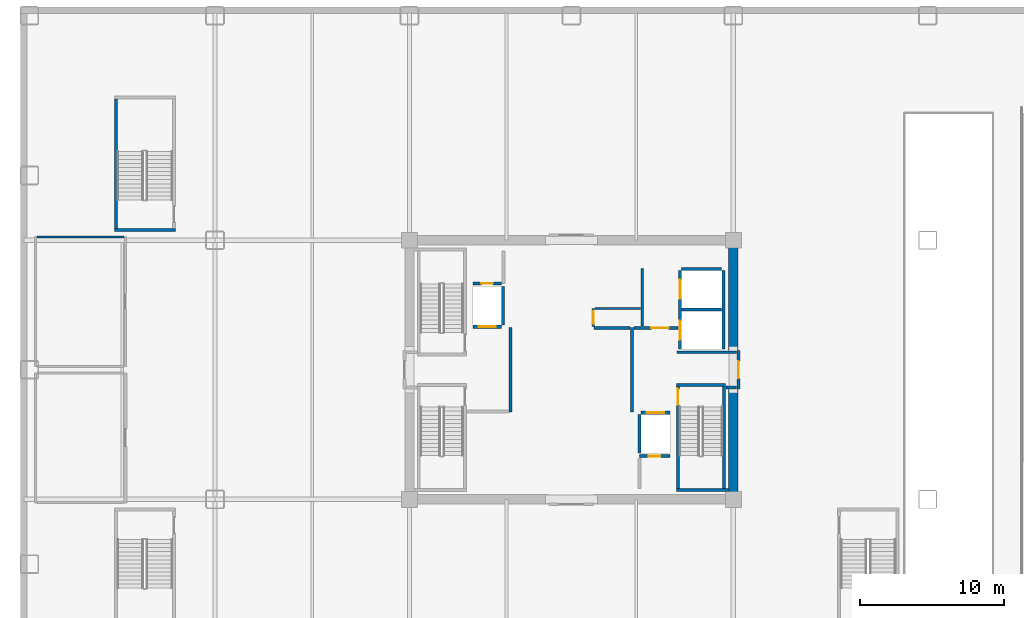
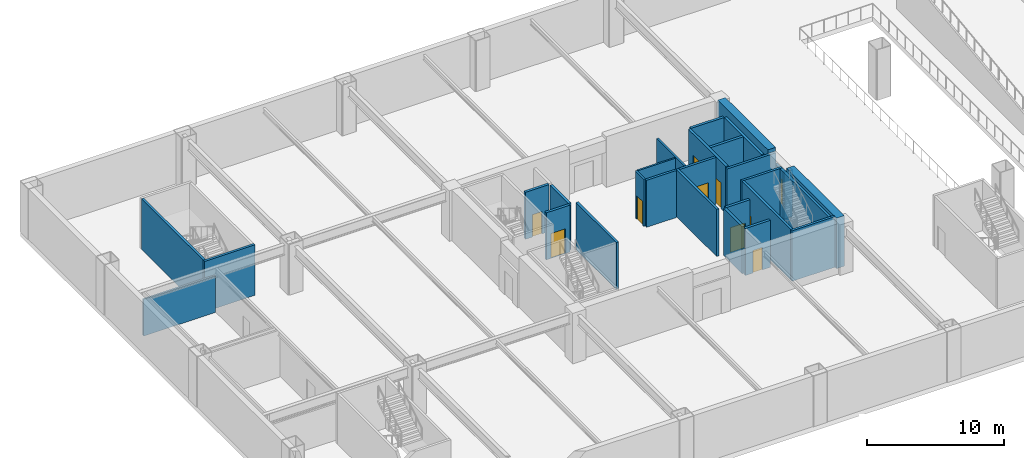
# One storey, part 4 of 9: 29 walls, 10 doors, 10 openings.
"""IFC4 building model written with IfcOpenShell, lengths in metres."""

from ifc_helpers import new_model, si_unit, direction, frame, frame_2d, origin, place, context, subcontext, project, spatial, rectangle, extrude, source, transform, mapped, material, layer, layer_set, type_object, element, fill, save


model = new_model("IFC4")

# Units and contexts
model_context = context("Model", 3, precision=1e-05, world=origin(), true_north=direction((0.0, 1.0)))
body_context = subcontext(model_context, "Body", "Model", "MODEL_VIEW")
ifc_project = project(units=[si_unit("LENGTHUNIT", "METRE"), si_unit("AREAUNIT", "SQUARE_METRE"), si_unit("VOLUMEUNIT", "CUBIC_METRE"), si_unit("PLANEANGLEUNIT", "RADIAN"), si_unit("MASSUNIT", "GRAM", prefix="KILO")], contexts=[model_context])

# Site, building, storey
site_placement = place(None, origin())
site = spatial("IfcSite", under=ifc_project, at=site_placement, CompositionType="ELEMENT")
building_placement = place(site_placement, origin())
building = spatial("IfcBuilding", under=site, at=building_placement, Name="Nefas-Gora Pilgrimage Tower", CompositionType="ELEMENT")
storey_placement = place(building_placement, frame((0.0, 0.0, -4.5)))
storey = spatial("IfcBuildingStorey", under=building, at=storey_placement, Name="B01", CompositionType="ELEMENT", Elevation=-4.5)

# Walls
ifc_material_1 = material(Name="Concrete C60/75", Category="concrete")
ifc_layer_1 = layer(ifc_material_1, 0.64990234375)
ifc_layer_set_1 = layer_set([ifc_layer_1], Name="Concrete C60/75")
wall_type_1 = type_object("IfcWallType", Name="SW-CORE-650", PredefinedType="SHEAR", material=ifc_layer_set_1)
shared_shape_1 = source(origin(), body_context, "Body", "SweptSolid", [
    extrude(rectangle(XDim=7.324951171875, YDim=0.64990234375, at=frame_2d((3.66259765625, 0.0))), origin(), (0.0, 0.0, 1.0), 4.5),
])
for number, where, z_axis, x_axis, name in (
    (1, (11.25, -8.675048828125, 0.0), (0.0, 0.0, 1.0), (0.0, 1.0, 0.0), "B01 Core Shear Wall E-South"),
    (2, (11.25, 1.35009765625, 0.0), (0.0, 0.0, 1.0), (0.0, 1.0, 0.0), "B01 Core Shear Wall E-North"),
):
    element("IfcWall", number, at=place(storey_placement, frame(where, z_axis=z_axis, x_axis=x_axis)), inside=storey, type_object=wall_type_1, Name=name, PredefinedType="SHEAR", context=body_context, shape_type="MappedRepresentation", body=[
        mapped(shared_shape_1, transform((0.0, 0.0, 0.0), x_axis=(1.0, 0.0, 0.0), y_axis=(0.0, 1.0, 0.0), z_axis=(0.0, 0.0, 1.0), scale=1.0)),
    ])
ifc_material_2 = material(Name="Concrete C45/55", Category="concrete")
ifc_layer_2 = layer(ifc_material_2, 0.199951171875)
ifc_layer_set_2 = layer_set([ifc_layer_2], Name="Concrete C45/55")
wall_type_2 = type_object("IfcWallType", Name="IW-STAIR-200", PredefinedType="SOLIDWALL", material=ifc_layer_set_2)
shared_shape_2 = source(origin(), body_context, "Body", "SweptSolid", [
    extrude(rectangle(XDim=3.39990234375, YDim=0.199951171875, at=frame_2d((1.699951171875, 0.0))), origin(), (0.0, 0.0, 1.0), 4.5),
])
wall_1_placement = place(storey_placement, frame((7.300048828125, -1.050048828125, 0.0), z_axis=(0.0, 0.0, 1.0), x_axis=(1.0, 0.0, 0.0)))
element("IfcWall", 3, at=wall_1_placement, inside=storey, type_object=wall_type_2, Name="B01 Stairwell Shear Wall ST-02-near", PredefinedType="SOLIDWALL", context=body_context, shape_type="MappedRepresentation", body=[
    mapped(shared_shape_2, transform((0.0, 0.0, 0.0), x_axis=(1.0, 0.0, 0.0), y_axis=(0.0, 1.0, 0.0), z_axis=(0.0, 0.0, 1.0), scale=1.0)),
])
shared_shape_3 = source(origin(), body_context, "Body", "SweptSolid", [
    extrude(rectangle(XDim=3.6298828125, YDim=0.199951171875, at=frame_2d((1.81494140625, 0.0))), origin(), (0.0, 0.0, 1.0), 4.5),
])
wall_2_placement = place(storey_placement, frame((7.300048828125, -8.35009765625, 0.0), z_axis=(0.0, 0.0, 1.0), x_axis=(1.0, 0.0, 0.0)))
element("IfcWall", 4, at=wall_2_placement, inside=storey, type_object=wall_type_2, Name="B01 Stairwell Shear Wall ST-02-far", PredefinedType="SOLIDWALL", context=body_context, shape_type="MappedRepresentation", body=[
    mapped(shared_shape_3, transform((0.0, 0.0, 0.0), x_axis=(1.0, 0.0, 0.0), y_axis=(0.0, 1.0, 0.0), z_axis=(0.0, 0.0, 1.0), scale=1.0)),
])

# Wall, opening, door
shared_shape_4 = source(origin(), body_context, "Body", "SweptSolid", [
    extrude(rectangle(XDim=7.10009765625, YDim=0.199951171875, at=frame_2d((3.550048828125, 0.0))), origin(), (0.0, 0.0, 1.0), 4.5),
])
wall_3_placement = place(storey_placement, frame((7.39990234375, -1.14990234375, 0.0), z_axis=(0.0, 0.0, 1.0), x_axis=(0.0, -1.0, 0.0)))
wall_3 = element("IfcWall", 5, at=wall_3_placement, inside=storey, type_object=wall_type_2, Name="B01 Stairwell Shear Wall ST-02-left", PredefinedType="SOLIDWALL", context=body_context, shape_type="MappedRepresentation", body=[
    mapped(shared_shape_4, transform((0.0, 0.0, 0.0), x_axis=(1.0, 0.0, 0.0), y_axis=(0.0, 1.0, 0.0), z_axis=(0.0, 0.0, 1.0), scale=1.0)),
])
opening_1_placement = place(wall_3_placement, frame((0.179931640625, 0.0, 0.0)))
opening_1 = element("IfcOpeningElement", 6, at=opening_1_placement, cuts=wall_3, Name="Opening ID-ST1", PredefinedType="OPENING", context=body_context, shape_type="SweptSolid", body=[
    extrude(rectangle(XDim=1.10009765625, YDim=2.14990234375, at=frame_2d((0.550048828125, 1.074951171875))), frame((0.0, 0.10986328125, 0.0), z_axis=(0.0, -1.0, 0.0), x_axis=(1.0, 0.0, 0.0)), (0.0, 0.0, 1.0), 0.219970703125),
])
ifc_material_3 = material(Name="Painted galvanised steel fire stair door", Category="steel")
door_type_1 = type_object("IfcDoorType", Name="DR-INT-STAIR-1100", OperationType="NOTDEFINED", PredefinedType="DOOR", material=ifc_material_3)
shared_shape_5 = source(origin(), body_context, "Body", "SweptSolid", [
    extrude(rectangle(XDim=1.10009765625, YDim=2.14990234375, at=frame_2d((0.550048828125, 1.074951171875))), frame((0.0, 0.02490234375, 0.0), z_axis=(0.0, -1.0, 0.0), x_axis=(1.0, 0.0, 0.0)), (0.0, 0.0, 1.0), 0.050048828125),
])
door_1_placement = place(opening_1_placement, origin())
door_1 = element("IfcDoor", 7, at=door_1_placement, inside=storey, type_object=door_type_1, Name="B01 Protected Exit Stair Door ST-02", OperationType="SINGLE_SWING_RIGHT", OverallHeight=2.14990234375, OverallWidth=1.10009765625, PredefinedType="DOOR", context=body_context, shape_type="MappedRepresentation", body=[
    mapped(shared_shape_5, transform((0.0, 0.0, 0.0), x_axis=(1.0, 0.0, 0.0), y_axis=(0.0, 1.0, 0.0), z_axis=(0.0, 0.0, 1.0), scale=1.0)),
])
fill(opening_1, door_1)

# Walls
wall_4_placement = place(storey_placement, frame((10.60009765625, -1.14990234375, 0.0), z_axis=(0.0, 0.0, 1.0), x_axis=(0.0, -1.0, 0.0)))
element("IfcWall", 8, at=wall_4_placement, inside=storey, type_object=wall_type_2, Name="B01 Stairwell Shear Wall ST-02-right", PredefinedType="SOLIDWALL", context=body_context, shape_type="MappedRepresentation", body=[
    mapped(shared_shape_4, transform((0.0, 0.0, 0.0), x_axis=(1.0, 0.0, 0.0), y_axis=(0.0, 1.0, 0.0), z_axis=(0.0, 0.0, 1.0), scale=1.0)),
])
shared_shape_6 = source(origin(), body_context, "Body", "SweptSolid", [
    extrude(rectangle(XDim=4.239990234375, YDim=0.199951171875, at=frame_2d((2.1201171875, 0.0))), origin(), (0.0, 0.0, 1.0), 4.5),
])
wall_5_placement = place(storey_placement, frame((-27.5, 9.699951171875, 0.0), z_axis=(0.0, 0.0, 1.0), x_axis=(-1.0, 0.0, 0.0)))
element("IfcWall", 9, at=wall_5_placement, inside=storey, type_object=wall_type_2, Name="B01 Stairwell Shear Wall ST-04-near", PredefinedType="SOLIDWALL", context=body_context, shape_type="MappedRepresentation", body=[
    mapped(shared_shape_6, transform((0.0, 0.0, 0.0), x_axis=(1.0, 0.0, 0.0), y_axis=(0.0, 1.0, 0.0), z_axis=(0.0, 0.0, 1.0), scale=1.0)),
])
shared_shape_7 = source(origin(), body_context, "Body", "SweptSolid", [
    extrude(rectangle(XDim=9.0, YDim=0.199951171875, at=frame_2d((4.5, 0.0))), origin(), (0.0, 0.0, 1.0), 4.5),
])
wall_6_placement = place(storey_placement, frame((-31.639892578125, 9.800048828125, 0.0), z_axis=(0.0, 0.0, 1.0), x_axis=(0.0, 1.0, 0.0)))
element("IfcWall", 10, at=wall_6_placement, inside=storey, type_object=wall_type_2, Name="B01 Stairwell Shear Wall ST-04-right", PredefinedType="SOLIDWALL", context=body_context, shape_type="MappedRepresentation", body=[
    mapped(shared_shape_7, transform((0.0, 0.0, 0.0), x_axis=(1.0, 0.0, 0.0), y_axis=(0.0, 1.0, 0.0), z_axis=(0.0, 0.0, 1.0), scale=1.0)),
])

# Wall, opening, door
ifc_material_4 = material(Name="Concrete C40/50", Category="concrete")
ifc_layer_3 = layer(ifc_material_4, 0.219970703125)
ifc_layer_set_3 = layer_set([ifc_layer_3], Name="Concrete C40/50")
wall_type_3 = type_object("IfcWallType", Name="IW-SHAFT-220", PredefinedType="SOLIDWALL", material=ifc_layer_set_3)
shared_shape_8 = source(origin(), body_context, "Body", "SweptSolid", [
    extrude(rectangle(XDim=2.0, YDim=0.219970703125, at=frame_2d((1.0, 0.0))), origin(), (0.0, 0.0, 1.0), 4.18505859375),
])
wall_7_placement = place(storey_placement, frame((-6.85009765625, 2.989990234375, 0.0), z_axis=(0.0, 0.0, 1.0), x_axis=(1.0, 0.0, 0.0)))
wall_7 = element("IfcWall", 11, at=wall_7_placement, inside=storey, type_object=wall_type_3, Name="B01 Hoistway Wall FFL-01-S", PredefinedType="SOLIDWALL", context=body_context, shape_type="MappedRepresentation", body=[
    mapped(shared_shape_8, transform((0.0, 0.0, 0.0), x_axis=(1.0, 0.0, 0.0), y_axis=(0.0, 1.0, 0.0), z_axis=(0.0, 0.0, 1.0), scale=1.0)),
])
opening_2_placement = place(wall_7_placement, frame((0.39990234375, 0.0, 0.0)))
opening_2 = element("IfcOpeningElement", 12, at=opening_2_placement, cuts=wall_7, Name="Opening LD-FF", PredefinedType="OPENING", context=body_context, shape_type="SweptSolid", body=[
    extrude(rectangle(XDim=1.199951171875, YDim=2.199951171875, at=frame_2d((0.60009765625, 1.10009765625))), frame((0.0, 0.119873046875, 0.0), z_axis=(0.0, -1.0, 0.0), x_axis=(1.0, 0.0, 0.0)), (0.0, 0.0, 1.0), 0.239990234375),
])
ifc_material_5 = material(Name="Fire-service sliding lift landing door")
door_type_2 = type_object("IfcDoorType", Name="DR-LIFT-FSAE-1200", OperationType="SLIDING_TO_LEFT", PredefinedType="DOOR", material=ifc_material_5)
shared_shape_9 = source(origin(), body_context, "Body", "SweptSolid", [
    extrude(rectangle(XDim=1.199951171875, YDim=2.199951171875, at=frame_2d((0.60009765625, 1.10009765625))), frame((0.0, 0.02490234375, 0.0), z_axis=(0.0, -1.0, 0.0), x_axis=(1.0, 0.0, 0.0)), (0.0, 0.0, 1.0), 0.050048828125),
])
door_2_placement = place(opening_2_placement, origin())
door_2 = element("IfcDoor", 13, at=door_2_placement, inside=storey, type_object=door_type_2, Name="B01 Sliding Lift Landing Door FFL-01", OperationType="SLIDING_TO_LEFT", OverallHeight=2.199951171875, OverallWidth=1.199951171875, PredefinedType="DOOR", context=body_context, shape_type="MappedRepresentation", body=[
    mapped(shared_shape_9, transform((0.0, 0.0, 0.0), x_axis=(1.0, 0.0, 0.0), y_axis=(0.0, 1.0, 0.0), z_axis=(0.0, 0.0, 1.0), scale=1.0)),
])
fill(opening_2, door_2)

wall_8_placement = place(storey_placement, frame((6.85009765625, -2.989990234375, 0.0), z_axis=(0.0, 0.0, 1.0), x_axis=(-1.0, 0.0, 0.0)))
wall_8 = element("IfcWall", 14, at=wall_8_placement, inside=storey, type_object=wall_type_3, Name="B01 Hoistway Wall FFL-02-N", PredefinedType="SOLIDWALL", context=body_context, shape_type="MappedRepresentation", body=[
    mapped(shared_shape_8, transform((0.0, 0.0, 0.0), x_axis=(1.0, 0.0, 0.0), y_axis=(0.0, 1.0, 0.0), z_axis=(0.0, 0.0, 1.0), scale=1.0)),
])
opening_3_placement = place(wall_8_placement, frame((0.39990234375, 0.0, 0.0)))
opening_3 = element("IfcOpeningElement", 15, at=opening_3_placement, cuts=wall_8, Name="Opening LD-FF", PredefinedType="OPENING", context=body_context, shape_type="SweptSolid", body=[
    extrude(rectangle(XDim=1.199951171875, YDim=2.199951171875, at=frame_2d((0.60009765625, 1.10009765625))), frame((0.0, 0.119873046875, 0.0), z_axis=(0.0, -1.0, 0.0), x_axis=(1.0, 0.0, 0.0)), (0.0, 0.0, 1.0), 0.239990234375),
])
door_3_placement = place(opening_3_placement, origin())
door_3 = element("IfcDoor", 16, at=door_3_placement, inside=storey, type_object=door_type_2, Name="B01 Sliding Lift Landing Door FFL-02", OperationType="SLIDING_TO_LEFT", OverallHeight=2.199951171875, OverallWidth=1.199951171875, PredefinedType="DOOR", context=body_context, shape_type="MappedRepresentation", body=[
    mapped(shared_shape_9, transform((0.0, 0.0, 0.0), x_axis=(1.0, 0.0, 0.0), y_axis=(0.0, 1.0, 0.0), z_axis=(0.0, 0.0, 1.0), scale=1.0)),
])
fill(opening_3, door_3)

# Walls
shared_shape_10 = source(origin(), body_context, "Body", "SweptSolid", [
    extrude(rectangle(XDim=2.679931640625, YDim=0.219970703125, at=frame_2d((1.33984375, 0.0))), origin(), (0.0, 0.0, 1.0), 4.18505859375),
])
for number, where, z_axis, x_axis, name in (
    (17, (-4.739990234375, 3.110107421875, 0.0), (0.0, 0.0, 1.0), (0.0, 1.0, 0.0), "B01 Hoistway Wall FFL-01-E"),
    (18, (4.739990234375, -3.110107421875, 0.0), (0.0, 0.0, 1.0), (0.0, -1.0, 0.0), "B01 Hoistway Wall FFL-02-W"),
):
    element("IfcWall", number, at=place(storey_placement, frame(where, z_axis=z_axis, x_axis=x_axis)), inside=storey, type_object=wall_type_3, Name=name, PredefinedType="SOLIDWALL", context=body_context, shape_type="MappedRepresentation", body=[
        mapped(shared_shape_10, transform((0.0, 0.0, 0.0), x_axis=(1.0, 0.0, 0.0), y_axis=(0.0, 1.0, 0.0), z_axis=(0.0, 0.0, 1.0), scale=1.0)),
    ])

# Wall, openings, doors
shared_shape_11 = source(origin(), body_context, "Body", "SweptSolid", [
    extrude(rectangle(XDim=5.449951171875, YDim=0.219970703125, at=frame_2d((2.72509765625, 0.0))), origin(), (0.0, 0.0, 1.0), 4.18505859375),
])
wall_9_placement = place(storey_placement, frame((7.5400390625, 6.89990234375, 0.0), z_axis=(0.0, 0.0, 1.0), x_axis=(0.0, -1.0, 0.0)))
wall_9 = element("IfcWall", 19, at=wall_9_placement, inside=storey, type_object=wall_type_3, Name="B01 Hoistway Wall SL-01-02-W", PredefinedType="SOLIDWALL", context=body_context, shape_type="MappedRepresentation", body=[
    mapped(shared_shape_11, transform((0.0, 0.0, 0.0), x_axis=(1.0, 0.0, 0.0), y_axis=(0.0, 1.0, 0.0), z_axis=(0.0, 0.0, 1.0), scale=1.0)),
])
opening_4_placement = place(wall_9_placement, frame((3.5, 0.0, 0.0)))
opening_4 = element("IfcOpeningElement", 20, at=opening_4_placement, cuts=wall_9, Name="Opening LD-SV", PredefinedType="OPENING", context=body_context, shape_type="SweptSolid", body=[
    extrude(rectangle(XDim=1.300048828125, YDim=2.300048828125, at=frame_2d((0.64990234375, 1.14990234375))), frame((0.0, 0.119873046875, 0.0), z_axis=(0.0, -1.0, 0.0), x_axis=(1.0, 0.0, 0.0)), (0.0, 0.0, 1.0), 0.239990234375),
])
opening_5_placement = place(wall_9_placement, frame((0.64990234375, 0.0, 0.0)))
opening_5 = element("IfcOpeningElement", 21, at=opening_5_placement, cuts=wall_9, Name="Opening LD-SV", PredefinedType="OPENING", context=body_context, shape_type="SweptSolid", body=[
    extrude(rectangle(XDim=1.300048828125, YDim=2.300048828125, at=frame_2d((0.64990234375, 1.14990234375))), frame((0.0, 0.119873046875, 0.0), z_axis=(0.0, -1.0, 0.0), x_axis=(1.0, 0.0, 0.0)), (0.0, 0.0, 1.0), 0.239990234375),
])
ifc_material_6 = material(Name="Heavy goods sliding lift landing door")
door_type_3 = type_object("IfcDoorType", Name="DR-LIFT-SERV-1300", OperationType="SLIDING_TO_RIGHT", PredefinedType="DOOR", material=ifc_material_6)
shared_shape_12 = source(origin(), body_context, "Body", "SweptSolid", [
    extrude(rectangle(XDim=1.300048828125, YDim=2.300048828125, at=frame_2d((0.64990234375, 1.14990234375))), frame((0.0, 0.02490234375, 0.0), z_axis=(0.0, -1.0, 0.0), x_axis=(1.0, 0.0, 0.0)), (0.0, 0.0, 1.0), 0.050048828125),
])
door_4_placement = place(opening_4_placement, origin())
door_4 = element("IfcDoor", 22, at=door_4_placement, inside=storey, type_object=door_type_3, Name="B01 Sliding Lift Landing Door SL-01", OperationType="SLIDING_TO_RIGHT", OverallHeight=2.300048828125, OverallWidth=1.300048828125, PredefinedType="DOOR", context=body_context, shape_type="MappedRepresentation", body=[
    mapped(shared_shape_12, transform((0.0, 0.0, 0.0), x_axis=(1.0, 0.0, 0.0), y_axis=(0.0, 1.0, 0.0), z_axis=(0.0, 0.0, 1.0), scale=1.0)),
])
fill(opening_4, door_4)
door_5_placement = place(opening_5_placement, origin())
door_5 = element("IfcDoor", 23, at=door_5_placement, inside=storey, type_object=door_type_3, Name="B01 Sliding Lift Landing Door SL-02", OperationType="SLIDING_TO_RIGHT", OverallHeight=2.300048828125, OverallWidth=1.300048828125, PredefinedType="DOOR", context=body_context, shape_type="MappedRepresentation", body=[
    mapped(shared_shape_12, transform((0.0, 0.0, 0.0), x_axis=(1.0, 0.0, 0.0), y_axis=(0.0, 1.0, 0.0), z_axis=(0.0, 0.0, 1.0), scale=1.0)),
])
fill(opening_5, door_5)

# Walls
wall_10_placement = place(storey_placement, frame((10.56005859375, 1.449951171875, 0.0), z_axis=(0.0, 0.0, 1.0), x_axis=(0.0, 1.0, 0.0)))
element("IfcWall", 24, at=wall_10_placement, inside=storey, type_object=wall_type_3, Name="B01 Hoistway Wall SL-01-02-E", PredefinedType="SOLIDWALL", context=body_context, shape_type="MappedRepresentation", body=[
    mapped(shared_shape_11, transform((0.0, 0.0, 0.0), x_axis=(1.0, 0.0, 0.0), y_axis=(0.0, 1.0, 0.0), z_axis=(0.0, 0.0, 1.0), scale=1.0)),
])
shared_shape_13 = source(origin(), body_context, "Body", "SweptSolid", [
    extrude(rectangle(XDim=2.780029296875, YDim=0.219970703125, at=frame_2d((1.39013671875, 0.0))), origin(), (0.0, 0.0, 1.0), 4.18505859375),
])
for number, where, z_axis, x_axis, name in (
    (25, (7.659912109375, 4.175048828125, 0.0), (0.0, 0.0, 1.0), (1.0, 0.0, 0.0), "B01 Hoistway Wall SL-01-02-DIV"),
    (26, (10.43994140625, 7.010009765625, 0.0), (0.0, 0.0, 1.0), (-1.0, 0.0, 0.0), "B01 Hoistway Wall SL-02-N"),
):
    element("IfcWall", number, at=place(storey_placement, frame(where, z_axis=z_axis, x_axis=x_axis)), inside=storey, type_object=wall_type_3, Name=name, PredefinedType="SOLIDWALL", context=body_context, shape_type="MappedRepresentation", body=[
        mapped(shared_shape_13, transform((0.0, 0.0, 0.0), x_axis=(1.0, 0.0, 0.0), y_axis=(0.0, 1.0, 0.0), z_axis=(0.0, 0.0, 1.0), scale=1.0)),
    ])

# Wall, opening, door
shared_shape_14 = source(origin(), body_context, "Body", "SweptSolid", [
    extrude(rectangle(XDim=1.97998046875, YDim=0.219970703125, at=frame_2d((0.989990234375, 0.0))), origin(), (0.0, 0.0, 1.0), 4.18505859375),
])
wall_11_placement = place(storey_placement, frame((-6.85009765625, 6.0, 0.0), z_axis=(0.0, 0.0, 1.0), x_axis=(1.0, 0.0, 0.0)))
wall_11 = element("IfcWall", 27, at=wall_11_placement, inside=storey, type_object=wall_type_3, Name="B01 Riser Shaft Wall 2", PredefinedType="SOLIDWALL", context=body_context, shape_type="MappedRepresentation", body=[
    mapped(shared_shape_14, transform((0.0, 0.0, 0.0), x_axis=(1.0, 0.0, 0.0), y_axis=(0.0, 1.0, 0.0), z_axis=(0.0, 0.0, 1.0), scale=1.0)),
])
opening_6_placement = place(wall_11_placement, frame((0.590087890625, 0.0, 0.0)))
opening_6 = element("IfcOpeningElement", 28, at=opening_6_placement, cuts=wall_11, Name="Opening ID-TR1", PredefinedType="OPENING", context=body_context, shape_type="SweptSolid", body=[
    extrude(rectangle(XDim=0.800048828125, YDim=2.0, at=frame_2d((0.39990234375, 1.0))), frame((0.0, 0.119873046875, 0.0), z_axis=(0.0, -1.0, 0.0), x_axis=(1.0, 0.0, 0.0)), (0.0, 0.0, 1.0), 0.239990234375),
])
ifc_material_7 = material(Name="Riser maintenance fire access door")
door_type_4 = type_object("IfcDoorType", Name="DR-INT-TRAP-800", OperationType="NOTDEFINED", PredefinedType="TRAPDOOR", material=ifc_material_7)
shared_shape_15 = source(origin(), body_context, "Body", "SweptSolid", [
    extrude(rectangle(XDim=0.800048828125, YDim=2.0, at=frame_2d((0.39990234375, 1.0))), frame((0.0, 0.02490234375, 0.0), z_axis=(0.0, -1.0, 0.0), x_axis=(1.0, 0.0, 0.0)), (0.0, 0.0, 1.0), 0.050048828125),
])
door_6_placement = place(opening_6_placement, origin())
door_6 = element("IfcDoor", 29, at=door_6_placement, inside=storey, type_object=door_type_4, Name="B01 Riser Shaft Door 1", OperationType="SINGLE_SWING_RIGHT", OverallHeight=2.0, OverallWidth=0.800048828125, PredefinedType="TRAPDOOR", context=body_context, shape_type="MappedRepresentation", body=[
    mapped(shared_shape_15, transform((0.0, 0.0, 0.0), x_axis=(1.0, 0.0, 0.0), y_axis=(0.0, 1.0, 0.0), z_axis=(0.0, 0.0, 1.0), scale=1.0)),
])
fill(opening_6, door_6)

shared_shape_16 = source(origin(), body_context, "Body", "SweptSolid", [
    extrude(rectangle(XDim=2.130126953125, YDim=0.219970703125, at=frame_2d((1.06494140625, 0.0))), origin(), (0.0, 0.0, 1.0), 4.18505859375),
])
wall_12_placement = place(storey_placement, frame((4.719970703125, -6.0, 0.0), z_axis=(0.0, 0.0, 1.0), x_axis=(1.0, 0.0, 0.0)))
wall_12 = element("IfcWall", 30, at=wall_12_placement, inside=storey, type_object=wall_type_3, Name="B01 Riser Shaft Wall 3", PredefinedType="SOLIDWALL", context=body_context, shape_type="MappedRepresentation", body=[
    mapped(shared_shape_16, transform((0.0, 0.0, 0.0), x_axis=(1.0, 0.0, 0.0), y_axis=(0.0, 1.0, 0.0), z_axis=(0.0, 0.0, 1.0), scale=1.0)),
])
opening_7_placement = place(wall_12_placement, frame((0.6650390625, 0.0, 0.0)))
opening_7 = element("IfcOpeningElement", 31, at=opening_7_placement, cuts=wall_12, Name="Opening ID-TR1", PredefinedType="OPENING", context=body_context, shape_type="SweptSolid", body=[
    extrude(rectangle(XDim=0.800048828125, YDim=2.0, at=frame_2d((0.39990234375, 1.0))), frame((0.0, 0.119873046875, 0.0), z_axis=(0.0, -1.0, 0.0), x_axis=(1.0, 0.0, 0.0)), (0.0, 0.0, 1.0), 0.239990234375),
])
door_7_placement = place(opening_7_placement, origin())
door_7 = element("IfcDoor", 32, at=door_7_placement, inside=storey, type_object=door_type_4, Name="B01 Riser Shaft Door 2", OperationType="SINGLE_SWING_LEFT", OverallHeight=2.0, OverallWidth=0.800048828125, PredefinedType="TRAPDOOR", context=body_context, shape_type="MappedRepresentation", body=[
    mapped(shared_shape_15, transform((0.0, 0.0, 0.0), x_axis=(1.0, 0.0, 0.0), y_axis=(0.0, 1.0, 0.0), z_axis=(0.0, 0.0, 1.0), scale=1.0)),
])
fill(opening_7, door_7)

ifc_material_8 = material(Name="Gypsum fire-rated shaftwall")
ifc_layer_4 = layer(ifc_material_8, 0.199951171875)
ifc_layer_set_4 = layer_set([ifc_layer_4], Name="Gypsum fire-rated shaftwall")
wall_type_4 = type_object("IfcWallType", Name="IW-FFLOB-200", PredefinedType="PARTITIONING", material=ifc_layer_set_4)
shared_shape_17 = source(origin(), body_context, "Body", "SweptSolid", [
    extrude(rectangle(XDim=2.7001953125, YDim=0.199951171875, at=frame_2d((1.35009765625, 0.0))), origin(), (0.0, 0.0, 1.0), 3.074951171875),
])
wall_13_placement = place(storey_placement, frame((11.60009765625, -1.35009765625, 0.0), z_axis=(0.0, 0.0, 1.0), x_axis=(0.0, 1.0, 0.0)))
wall_13 = element("IfcWall", 33, at=wall_13_placement, inside=storey, type_object=wall_type_4, Name="B01 FF Lobby East Portal Wall 10", PredefinedType="PARTITIONING", context=body_context, shape_type="MappedRepresentation", body=[
    mapped(shared_shape_17, transform((0.0, 0.0, 0.0), x_axis=(1.0, 0.0, 0.0), y_axis=(0.0, 1.0, 0.0), z_axis=(0.0, 0.0, 1.0), scale=1.0)),
])
opening_8_placement = place(wall_13_placement, frame((0.75, 0.0, 0.0)))
opening_8 = element("IfcOpeningElement", 34, at=opening_8_placement, cuts=wall_13, Name="Opening ID-FF1", PredefinedType="OPENING", context=body_context, shape_type="SweptSolid", body=[
    extrude(rectangle(XDim=1.199951171875, YDim=2.14990234375, at=frame_2d((0.60009765625, 1.074951171875))), frame((0.0, 0.10986328125, 0.0), z_axis=(0.0, -1.0, 0.0), x_axis=(1.0, 0.0, 0.0)), (0.0, 0.0, 1.0), 0.219970703125),
])
ifc_material_9 = material(Name="Smoke-sealed steel firefighting lobby door", Category="steel")
door_type_5 = type_object("IfcDoorType", Name="DR-INT-FFLOB-1200", OperationType="NOTDEFINED", PredefinedType="DOOR", material=ifc_material_9)
shared_shape_18 = source(origin(), body_context, "Body", "SweptSolid", [
    extrude(rectangle(XDim=1.199951171875, YDim=2.14990234375, at=frame_2d((0.60009765625, 1.074951171875))), frame((0.0, 0.02490234375, 0.0), z_axis=(0.0, -1.0, 0.0), x_axis=(1.0, 0.0, 0.0)), (0.0, 0.0, 1.0), 0.050048828125),
])
door_8_placement = place(opening_8_placement, origin())
door_8 = element("IfcDoor", 35, at=door_8_placement, inside=storey, type_object=door_type_5, Name="B01 FF Lobby East Portal Door 4", OperationType="SINGLE_SWING_LEFT", OverallHeight=2.14990234375, OverallWidth=1.199951171875, PredefinedType="DOOR", context=body_context, shape_type="MappedRepresentation", body=[
    mapped(shared_shape_18, transform((0.0, 0.0, 0.0), x_axis=(1.0, 0.0, 0.0), y_axis=(0.0, 1.0, 0.0), z_axis=(0.0, 0.0, 1.0), scale=1.0)),
])
fill(opening_8, door_8)

# Walls
shared_shape_19 = source(origin(), body_context, "Body", "SweptSolid", [
    extrude(rectangle(XDim=5.89990234375, YDim=0.199951171875, at=frame_2d((2.949951171875, 0.0))), origin(), (0.0, 0.0, 1.0), 4.18505859375),
])
for number, where, z_axis, x_axis, name in (
    (36, (-4.219970703125, -2.949951171875, 0.0), (0.0, 0.0, 1.0), (0.0, 1.0, 0.0), "B01 FF Lobby West Inner Wall Wall 6"),
    (37, (4.219970703125, -2.949951171875, 0.0), (0.0, 0.0, 1.0), (0.0, 1.0, 0.0), "B01 FF Lobby East Inner Wall Wall 11"),
):
    element("IfcWall", number, at=place(storey_placement, frame(where, z_axis=z_axis, x_axis=x_axis)), inside=storey, type_object=wall_type_4, Name=name, PredefinedType="PARTITIONING", context=body_context, shape_type="MappedRepresentation", body=[
        mapped(shared_shape_19, transform((0.0, 0.0, 0.0), x_axis=(1.0, 0.0, 0.0), y_axis=(0.0, 1.0, 0.0), z_axis=(0.0, 0.0, 1.0), scale=1.0)),
    ])
shared_shape_20 = source(origin(), body_context, "Body", "SweptSolid", [
    extrude(rectangle(XDim=0.719970703125, YDim=0.199951171875, at=frame_2d((0.35986328125, 0.0))), origin(), (0.0, 0.0, 1.0), 4.18505859375),
])
wall_14_placement = place(storey_placement, frame((10.739990234375, -1.219970703125, 0.0), z_axis=(0.0, 0.0, 1.0), x_axis=(1.0, 0.0, 0.0)))
element("IfcWall", 38, at=wall_14_placement, inside=storey, type_object=wall_type_4, Name="B01 FF Lobby East Throat S Wall 15", PredefinedType="PARTITIONING", context=body_context, shape_type="MappedRepresentation", body=[
    mapped(shared_shape_20, transform((0.0, 0.0, 0.0), x_axis=(1.0, 0.0, 0.0), y_axis=(0.0, 1.0, 0.0), z_axis=(0.0, 0.0, 1.0), scale=1.0)),
])
shared_shape_21 = source(origin(), body_context, "Body", "SweptSolid", [
    extrude(rectangle(XDim=2.52001953125, YDim=0.199951171875, at=frame_2d((1.260009765625, 0.0))), origin(), (0.0, 0.0, 1.0), 4.18505859375),
])
wall_15_placement = place(storey_placement, frame((1.56005859375, 2.89990234375, 0.0), z_axis=(0.0, 0.0, 1.0), x_axis=(1.0, 0.0, 0.0)))
element("IfcWall", 39, at=wall_15_placement, inside=storey, type_object=wall_type_4, Name="B01 FF Lobby East North Wall Wall 12", PredefinedType="PARTITIONING", context=body_context, shape_type="MappedRepresentation", body=[
    mapped(shared_shape_21, transform((0.0, 0.0, 0.0), x_axis=(1.0, 0.0, 0.0), y_axis=(0.0, 1.0, 0.0), z_axis=(0.0, 0.0, 1.0), scale=1.0)),
])

# Wall, opening, door
shared_shape_22 = source(origin(), body_context, "Body", "SweptSolid", [
    extrude(rectangle(XDim=3.039794921875, YDim=0.199951171875, at=frame_2d((1.52001953125, 0.0))), origin(), (0.0, 0.0, 1.0), 4.18505859375),
])
wall_16_placement = place(storey_placement, frame((4.360107421875, 2.89990234375, 0.0), z_axis=(0.0, 0.0, 1.0), x_axis=(1.0, 0.0, 0.0)))
wall_16 = element("IfcWall", 40, at=wall_16_placement, inside=storey, type_object=wall_type_4, Name="B01 FF Lobby East North Wall Wall 13", PredefinedType="PARTITIONING", context=body_context, shape_type="MappedRepresentation", body=[
    mapped(shared_shape_22, transform((0.0, 0.0, 0.0), x_axis=(1.0, 0.0, 0.0), y_axis=(0.0, 1.0, 0.0), z_axis=(0.0, 0.0, 1.0), scale=1.0)),
])
opening_9_placement = place(wall_16_placement, frame((1.18994140625, 0.0, 0.0)))
opening_9 = element("IfcOpeningElement", 41, at=opening_9_placement, cuts=wall_16, Name="Opening ID-PL1", PredefinedType="OPENING", context=body_context, shape_type="SweptSolid", body=[
    extrude(rectangle(XDim=1.199951171875, YDim=2.14990234375, at=frame_2d((0.60009765625, 1.074951171875))), frame((0.0, 0.10986328125, 0.0), z_axis=(0.0, -1.0, 0.0), x_axis=(1.0, 0.0, 0.0)), (0.0, 0.0, 1.0), 0.219970703125),
])
ifc_material_10 = material(Name="Heavy-duty steel plant room fire door", Category="steel")
door_type_6 = type_object("IfcDoorType", Name="DR-INT-PLANT-1200", OperationType="NOTDEFINED", PredefinedType="DOOR", material=ifc_material_10)
door_9_placement = place(opening_9_placement, origin())
door_9 = element("IfcDoor", 42, at=door_9_placement, inside=storey, type_object=door_type_6, Name="B01 Service Lift Lobby Door Door 5", OperationType="SINGLE_SWING_RIGHT", OverallHeight=2.14990234375, OverallWidth=1.199951171875, PredefinedType="DOOR", context=body_context, shape_type="MappedRepresentation", body=[
    mapped(shared_shape_18, transform((0.0, 0.0, 0.0), x_axis=(1.0, 0.0, 0.0), y_axis=(0.0, 1.0, 0.0), z_axis=(0.0, 0.0, 1.0), scale=1.0)),
])
fill(opening_9, door_9)

# Walls
shared_shape_23 = source(origin(), body_context, "Body", "SweptSolid", [
    extrude(rectangle(XDim=4.10986328125, YDim=0.199951171875, at=frame_2d((2.054931640625, 0.0))), origin(), (0.0, 0.0, 1.0), 4.18505859375),
])
wall_17_placement = place(storey_placement, frame((7.35009765625, 1.219970703125, 0.0), z_axis=(0.0, 0.0, 1.0), x_axis=(1.0, 0.0, 0.0)))
element("IfcWall", 43, at=wall_17_placement, inside=storey, type_object=wall_type_4, Name="B01 FF Lobby East Throat N Wall 14", PredefinedType="PARTITIONING", context=body_context, shape_type="MappedRepresentation", body=[
    mapped(shared_shape_23, transform((0.0, 0.0, 0.0), x_axis=(1.0, 0.0, 0.0), y_axis=(0.0, 1.0, 0.0), z_axis=(0.0, 0.0, 1.0), scale=1.0)),
])
ifc_material_11 = material(Name="Gypsum acoustic stud partition")
ifc_layer_5 = layer(ifc_material_11, 0.159912109375)
ifc_layer_set_5 = layer_set([ifc_layer_5], Name="Gypsum acoustic stud partition")
wall_type_5 = type_object("IfcWallType", Name="IW-CORR-160", PredefinedType="PARTITIONING", material=ifc_layer_set_5)
shared_shape_24 = source(origin(), body_context, "Body", "SweptSolid", [
    extrude(rectangle(XDim=4.010009765625, YDim=0.159912109375, at=frame_2d((2.0048828125, 0.0))), origin(), (0.0, 0.0, 1.0), 4.18505859375),
])
wall_18_placement = place(storey_placement, frame((4.919921875, 3.0400390625, 0.0), z_axis=(0.0, 0.0, 1.0), x_axis=(0.0, 1.0, 0.0)))
element("IfcWall", 44, at=wall_18_placement, inside=storey, type_object=wall_type_5, Name="B01 Service Lift Lobby West Wall Wall 18", PredefinedType="PARTITIONING", context=body_context, shape_type="MappedRepresentation", body=[
    mapped(shared_shape_24, transform((0.0, 0.0, 0.0), x_axis=(1.0, 0.0, 0.0), y_axis=(0.0, 1.0, 0.0), z_axis=(0.0, 0.0, 1.0), scale=1.0)),
])

# Wall, opening, door
shared_shape_25 = source(origin(), body_context, "Body", "SweptSolid", [
    extrude(rectangle(XDim=1.25, YDim=0.159912109375, at=frame_2d((0.625, 0.0))), origin(), (0.0, 0.0, 1.0), 4.18505859375),
])
wall_19_placement = place(storey_placement, frame((1.52001953125, 3.010009765625, 0.0), z_axis=(0.0, 0.0, 1.0), x_axis=(0.0, 1.0, 0.0)))
wall_19 = element("IfcWall", 45, at=wall_19_placement, inside=storey, type_object=wall_type_5, Name="B01 Core Communications Room Wall 19", PredefinedType="PARTITIONING", context=body_context, shape_type="MappedRepresentation", body=[
    mapped(shared_shape_25, transform((0.0, 0.0, 0.0), x_axis=(1.0, 0.0, 0.0), y_axis=(0.0, 1.0, 0.0), z_axis=(0.0, 0.0, 1.0), scale=1.0)),
])
opening_10_placement = place(wall_19_placement, frame((0.199951171875, 0.0, 0.0)))
opening_10 = element("IfcOpeningElement", 46, at=opening_10_placement, cuts=wall_19, Name="Opening ID-BT1", PredefinedType="OPENING", context=body_context, shape_type="SweptSolid", body=[
    extrude(rectangle(XDim=0.85009765625, YDim=2.10009765625, at=frame_2d((0.425048828125, 1.050048828125))), frame((0.0, 0.08984375, 0.0), z_axis=(0.0, -1.0, 0.0), x_axis=(1.0, 0.0, 0.0)), (0.0, 0.0, 1.0), 0.179931640625),
])
ifc_material_12 = material(Name="Moisture-resistant fire-rated timber door", Category="wood")
door_type_7 = type_object("IfcDoorType", Name="DR-INT-BATH-850", OperationType="NOTDEFINED", PredefinedType="DOOR", material=ifc_material_12)
shared_shape_26 = source(origin(), body_context, "Body", "SweptSolid", [
    extrude(rectangle(XDim=0.85009765625, YDim=2.10009765625, at=frame_2d((0.425048828125, 1.050048828125))), frame((0.0, 0.02490234375, 0.0), z_axis=(0.0, -1.0, 0.0), x_axis=(1.0, 0.0, 0.0)), (0.0, 0.0, 1.0), 0.050048828125),
])
door_10_placement = place(opening_10_placement, origin())
door_10 = element("IfcDoor", 47, at=door_10_placement, inside=storey, type_object=door_type_7, Name="B01 Core Communications Room Door 8", OperationType="SINGLE_SWING_LEFT", OverallHeight=2.10009765625, OverallWidth=0.85009765625, PredefinedType="DOOR", context=body_context, shape_type="MappedRepresentation", body=[
    mapped(shared_shape_26, transform((0.0, 0.0, 0.0), x_axis=(1.0, 0.0, 0.0), y_axis=(0.0, 1.0, 0.0), z_axis=(0.0, 0.0, 1.0), scale=1.0)),
])
fill(opening_10, door_10)

# Walls
ifc_material_13 = material(Name="Gypsum twin-stud partition")
ifc_layer_6 = layer(ifc_material_13, 0.139892578125)
ifc_layer_set_6 = layer_set([ifc_layer_6], Name="Gypsum twin-stud partition")
wall_type_6 = type_object("IfcWallType", Name="IW-UNIT-140", PredefinedType="PARTITIONING", material=ifc_layer_set_6)
shared_shape_27 = source(origin(), body_context, "Body", "SweptSolid", [
    extrude(rectangle(XDim=3.150146484375, YDim=0.139892578125, at=frame_2d((1.5751953125, 0.0))), origin(), (0.0, 0.0, 1.0), 4.18505859375),
])
wall_20_placement = place(storey_placement, frame((1.639892578125, 4.25, 0.0), z_axis=(0.0, 0.0, 1.0), x_axis=(1.0, 0.0, 0.0)))
element("IfcWall", 48, at=wall_20_placement, inside=storey, type_object=wall_type_6, Name="B01 Core Communications Room Partition Wall 20", PredefinedType="PARTITIONING", context=body_context, shape_type="MappedRepresentation", body=[
    mapped(shared_shape_27, transform((0.0, 0.0, 0.0), x_axis=(1.0, 0.0, 0.0), y_axis=(0.0, 1.0, 0.0), z_axis=(0.0, 0.0, 1.0), scale=1.0)),
])
shared_shape_28 = source(origin(), body_context, "Body", "SweptSolid", [
    extrude(rectangle(XDim=6.030029296875, YDim=0.139892578125, at=frame_2d((3.01513671875, 0.0))), origin(), (0.0, 0.0, 1.0), 3.27490234375),
])
wall_21_placement = place(storey_placement, frame((-37.1201171875, 9.22998046875, 0.0), z_axis=(0.0, 0.0, 1.0), x_axis=(1.0, 0.0, 0.0)))
element("IfcWall", 49, at=wall_21_placement, inside=storey, type_object=wall_type_6, Name="B01 Bicycle and Pilgrim Gear Store Partition Wall 28", PredefinedType="PARTITIONING", context=body_context, shape_type="MappedRepresentation", body=[
    mapped(shared_shape_28, transform((0.0, 0.0, 0.0), x_axis=(1.0, 0.0, 0.0), y_axis=(0.0, 1.0, 0.0), z_axis=(0.0, 0.0, 1.0), scale=1.0)),
])

save(model, "model.ifc")
